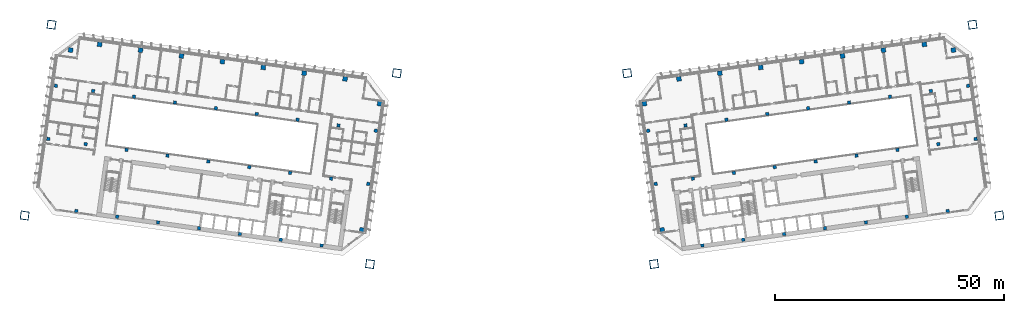
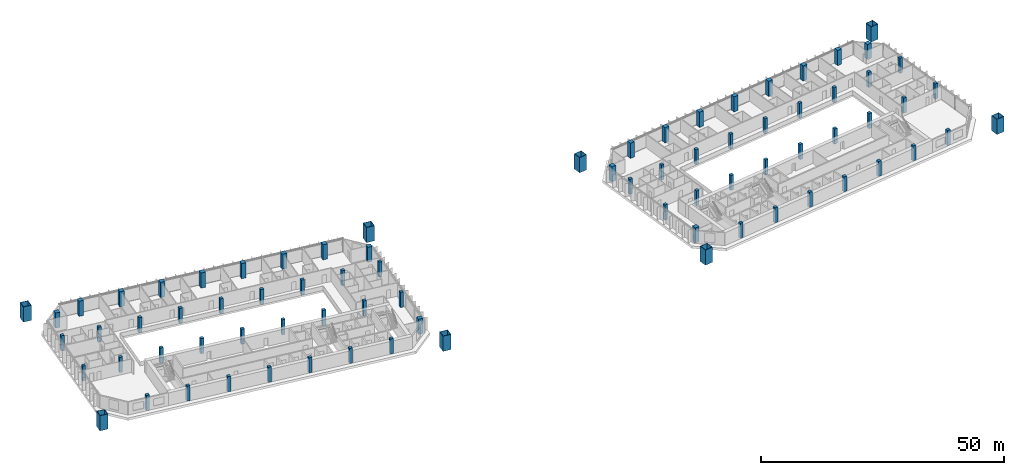
# One storey, part 1 of 25: 78 columns.
"""IFC4 building model written with IfcOpenShell, lengths in metres."""

from ifc_helpers import new_model, si_unit, direction, frame, origin, origin_2d, place, context, subcontext, project, spatial, rectangle, hollow_rectangle, extrude, material, material_profile, profile_set, type_object, element, save


model = new_model("IFC4")

# Units and contexts
model_context = context("Model", 3, precision=1e-05, world=origin(), true_north=direction((0.0, 1.0)))
body_context = subcontext(model_context, "Body", "Model", "MODEL_VIEW")
ifc_project = project(units=[si_unit("LENGTHUNIT", "METRE"), si_unit("AREAUNIT", "SQUARE_METRE"), si_unit("VOLUMEUNIT", "CUBIC_METRE"), si_unit("PLANEANGLEUNIT", "RADIAN"), si_unit("MASSUNIT", "GRAM", prefix="KILO")], contexts=[model_context])

# Site, building, storey
site_placement = place(None, origin())
site = spatial("IfcSite", under=ifc_project, at=site_placement, CompositionType="ELEMENT")
building_placement = place(site_placement, origin())
building = spatial("IfcBuilding", under=site, at=building_placement, Name="Mirante Cascada Hotel Towers", CompositionType="ELEMENT")
storey_placement = place(building_placement, frame((0.0, 0.0, 73.7)))
storey = spatial("IfcBuildingStorey", under=building, at=storey_placement, Name="L15", CompositionType="ELEMENT", Elevation=73.7)

# Columns
ifc_material_1 = material(Name="Steel ASTM A572 Gr 50", Category="steel")
ifc_material_profile_1 = material_profile(ifc_material_1, hollow_rectangle(XDim=1.8, YDim=1.8, WallThickness=0.08, at=origin_2d()), Name="Box column 1800x1800x80 ASTM A572 Gr 50")
ifc_profile_set_1 = profile_set([ifc_material_profile_1], Name="Steel ASTM A572 Gr 50")
column_type_1 = type_object("IfcColumnType", Name="Box column 1800x1800x80 ASTM A572 Gr 50", PredefinedType="COLUMN", material=ifc_profile_set_1)
for number, where, z_axis, x_axis, name in (
    (1, (-25.0968, 18.5173, 0.0), (0.0, 0.0, 1.0), (-0.9902681, 0.1391731, 0.0), "Mega column MC1 T1 L15"),
    (2, (-30.9421, -23.074, 0.0), (0.0, 0.0, 1.0), (-0.9902681, 0.1391731, 0.0), "Mega column MC2 T1 L15"),
    (3, (-100.3572, 29.0944, 0.0), (0.0, 0.0, 1.0), (-0.9902681, 0.1391731, 0.0), "Mega column MC3 T1 L15"),
    (4, (-106.2025, -12.4968, 0.0), (0.0, 0.0, 1.0), (-0.9902681, 0.1391731, 0.0), "Mega column MC4 T1 L15"),
    (5, (25.0968, 18.5173, 0.0), (0.0, 0.0, 1.0), (0.9902681, 0.1391731, 0.0), "Mega column MC1 T2 L15"),
    (6, (30.9421, -23.074, 0.0), (0.0, 0.0, 1.0), (0.9902681, 0.1391731, 0.0), "Mega column MC2 T2 L15"),
    (7, (100.3572, 29.0944, 0.0), (0.0, 0.0, 1.0), (0.9902681, 0.1391731, 0.0), "Mega column MC3 T2 L15"),
    (8, (106.2025, -12.4968, 0.0), (0.0, 0.0, 1.0), (0.9902681, 0.1391731, 0.0), "Mega column MC4 T2 L15"),
):
    element("IfcColumn", number, at=place(storey_placement, frame(where, z_axis=z_axis, x_axis=x_axis)), inside=storey, type_object=column_type_1, Name=name, PredefinedType="COLUMN", context=body_context, shape_type="SweptSolid", body=[
        extrude(hollow_rectangle(XDim=1.8, YDim=1.8, WallThickness=0.08, at=origin_2d()), origin(), (0.0, 0.0, 1.0), 3.8),
    ])
ifc_material_2 = material(Name="Concrete C60/75", Category="concrete")
ifc_material_profile_2 = material_profile(ifc_material_2, rectangle(XDim=1.0, YDim=1.0, at=origin_2d()), Name="RC column 1000x1000 C60/75")
ifc_profile_set_2 = profile_set([ifc_material_profile_2], Name="Concrete C60/75")
column_type_2 = type_object("IfcColumnType", Name="RC column 1000x1000 C60/75", PredefinedType="COLUMN", material=ifc_profile_set_2)
for number, where, z_axis, x_axis, name in (
    (9, (-28.8577, 11.8761, 0.0), (0.0, 0.0, 1.0), (-0.9902681, 0.1391731, 0.0), "Column T1 L15 1"),
    (10, (-32.7267, -15.6534, 0.0), (0.0, 0.0, 1.0), (-0.9902681, 0.1391731, 0.0), "Column T1 L15 4"),
    (11, (-36.3795, 17.2754, 0.0), (0.0, 0.0, 1.0), (-0.9902681, 0.1391731, 0.0), "Column T1 L15 5"),
    (12, (-45.2919, 18.528, 0.0), (0.0, 0.0, 1.0), (-0.9902681, 0.1391731, 0.0), "Column T1 L15 9"),
    (13, (-54.2043, 19.7806, 0.0), (0.0, 0.0, 1.0), (-0.9902681, 0.1391731, 0.0), "Column T1 L15 13"),
    (14, (-63.1167, 21.0331, 0.0), (0.0, 0.0, 1.0), (-0.9902681, 0.1391731, 0.0), "Column T1 L15 17"),
    (15, (-72.0291, 22.2857, 0.0), (0.0, 0.0, 1.0), (-0.9902681, 0.1391731, 0.0), "Column T1 L15 21"),
    (16, (-80.9415, 23.5382, 0.0), (0.0, 0.0, 1.0), (-0.9902681, 0.1391731, 0.0), "Column T1 L15 25"),
    (17, (-89.8539, 24.7908, 0.0), (0.0, 0.0, 1.0), (-0.9902681, 0.1391731, 0.0), "Column T1 L15 29"),
    (18, (-96.1868, 23.5602, 0.0), (0.0, 0.0, 1.0), (-0.9902681, 0.1391731, 0.0), "Column T1 L15 33"),
    (19, (28.8577, 11.8761, 0.0), (0.0, 0.0, 1.0), (0.9902681, 0.1391731, 0.0), "Column T2 L15 1"),
    (20, (32.7267, -15.6534, 0.0), (0.0, 0.0, 1.0), (0.9902681, 0.1391731, 0.0), "Column T2 L15 4"),
    (21, (36.3795, 17.2754, 0.0), (0.0, 0.0, 1.0), (0.9902681, 0.1391731, 0.0), "Column T2 L15 5"),
    (22, (45.2919, 18.528, 0.0), (0.0, 0.0, 1.0), (0.9902681, 0.1391731, 0.0), "Column T2 L15 9"),
    (23, (54.2043, 19.7806, 0.0), (0.0, 0.0, 1.0), (0.9902681, 0.1391731, 0.0), "Column T2 L15 13"),
    (24, (63.1167, 21.0331, 0.0), (0.0, 0.0, 1.0), (0.9902681, 0.1391731, 0.0), "Column T2 L15 17"),
    (25, (72.0291, 22.2857, 0.0), (0.0, 0.0, 1.0), (0.9902681, 0.1391731, 0.0), "Column T2 L15 21"),
    (26, (80.9415, 23.5382, 0.0), (0.0, 0.0, 1.0), (0.9902681, 0.1391731, 0.0), "Column T2 L15 25"),
    (27, (89.8539, 24.7908, 0.0), (0.0, 0.0, 1.0), (0.9902681, 0.1391731, 0.0), "Column T2 L15 29"),
    (28, (96.1868, 23.5602, 0.0), (0.0, 0.0, 1.0), (0.9902681, 0.1391731, 0.0), "Column T2 L15 33"),
):
    element("IfcColumn", number, at=place(storey_placement, frame(where, z_axis=z_axis, x_axis=x_axis)), inside=storey, type_object=column_type_2, Name=name, PredefinedType="COLUMN", context=body_context, shape_type="SweptSolid", body=[
        extrude(rectangle(XDim=1.0, YDim=1.0, at=origin_2d()), origin(), (0.0, 0.0, 1.0), 3.8),
    ])
ifc_material_3 = material(Name="Concrete C60/75", Category="concrete")
ifc_material_profile_3 = material_profile(ifc_material_3, rectangle(XDim=0.7, YDim=0.7, at=origin_2d()), Name="RC column 700x700 C60/75")
ifc_profile_set_3 = profile_set([ifc_material_profile_3], Name="Concrete C60/75")
column_type_3 = type_object("IfcColumnType", Name="RC column 700x700 C60/75", PredefinedType="COLUMN", material=ifc_profile_set_3)
for number, where, z_axis, x_axis, name in (
    (29, (-29.6858, 5.984, 0.0), (0.0, 0.0, 1.0), (-0.9902681, 0.1391731, 0.0), "Column T1 L15 2"),
    (30, (-31.3141, -5.6022, 0.0), (0.0, 0.0, 1.0), (-0.9902681, 0.1391731, 0.0), "Column T1 L15 3"),
    (31, (-37.806, 7.1252, 0.0), (0.0, 0.0, 1.0), (-0.9902681, 0.1391731, 0.0), "Column T1 L15 6"),
    (32, (-39.4343, -4.4609, 0.0), (0.0, 0.0, 1.0), (-0.9902681, 0.1391731, 0.0), "Column T1 L15 7"),
    (33, (-41.4802, -19.0179, 0.0), (0.0, 0.0, 1.0), (-0.9902681, 0.1391731, 0.0), "Column T1 L15 8"),
    (34, (-46.7184, 8.3777, 0.0), (0.0, 0.0, 1.0), (-0.9902681, 0.1391731, 0.0), "Column T1 L15 10"),
    (35, (-48.3467, -3.2084, 0.0), (0.0, 0.0, 1.0), (-0.9902681, 0.1391731, 0.0), "Column T1 L15 11"),
    (36, (-50.3926, -17.7653, 0.0), (0.0, 0.0, 1.0), (-0.9902681, 0.1391731, 0.0), "Column T1 L15 12"),
    (37, (-55.6308, 9.6303, 0.0), (0.0, 0.0, 1.0), (-0.9902681, 0.1391731, 0.0), "Column T1 L15 14"),
    (38, (-57.2591, -1.9558, 0.0), (0.0, 0.0, 1.0), (-0.9902681, 0.1391731, 0.0), "Column T1 L15 15"),
    (39, (-59.305, -16.5128, 0.0), (0.0, 0.0, 1.0), (-0.9902681, 0.1391731, 0.0), "Column T1 L15 16"),
    (40, (-64.5432, 10.8829, 0.0), (0.0, 0.0, 1.0), (-0.9902681, 0.1391731, 0.0), "Column T1 L15 18"),
    (41, (-66.1716, -0.7033, 0.0), (0.0, 0.0, 1.0), (-0.9902681, 0.1391731, 0.0), "Column T1 L15 19"),
    (42, (-68.2174, -15.2602, 0.0), (0.0, 0.0, 1.0), (-0.9902681, 0.1391731, 0.0), "Column T1 L15 20"),
    (43, (-73.4556, 12.1354, 0.0), (0.0, 0.0, 1.0), (-0.9902681, 0.1391731, 0.0), "Column T1 L15 22"),
    (44, (-75.084, 0.5493, 0.0), (0.0, 0.0, 1.0), (-0.9902681, 0.1391731, 0.0), "Column T1 L15 23"),
    (45, (-77.1298, -14.0077, 0.0), (0.0, 0.0, 1.0), (-0.9902681, 0.1391731, 0.0), "Column T1 L15 24"),
    (46, (-82.368, 13.388, 0.0), (0.0, 0.0, 1.0), (-0.9902681, 0.1391731, 0.0), "Column T1 L15 26"),
    (47, (-83.9964, 1.8018, 0.0), (0.0, 0.0, 1.0), (-0.9902681, 0.1391731, 0.0), "Column T1 L15 27"),
    (48, (-86.0422, -12.7551, 0.0), (0.0, 0.0, 1.0), (-0.9902681, 0.1391731, 0.0), "Column T1 L15 28"),
    (49, (-91.2805, 14.6405, 0.0), (0.0, 0.0, 1.0), (-0.9902681, 0.1391731, 0.0), "Column T1 L15 30"),
    (50, (-92.9088, 3.0544, 0.0), (0.0, 0.0, 1.0), (-0.9902681, 0.1391731, 0.0), "Column T1 L15 31"),
    (51, (-94.9546, -11.5025, 0.0), (0.0, 0.0, 1.0), (-0.9902681, 0.1391731, 0.0), "Column T1 L15 32"),
    (52, (-99.4007, 15.7818, 0.0), (0.0, 0.0, 1.0), (-0.9902681, 0.1391731, 0.0), "Column T1 L15 34"),
    (53, (-101.029, 4.1956, 0.0), (0.0, 0.0, 1.0), (-0.9902681, 0.1391731, 0.0), "Column T1 L15 35"),
    (54, (29.6858, 5.984, 0.0), (0.0, 0.0, 1.0), (0.9902681, 0.1391731, 0.0), "Column T2 L15 2"),
    (55, (31.3141, -5.6022, 0.0), (0.0, 0.0, 1.0), (0.9902681, 0.1391731, 0.0), "Column T2 L15 3"),
    (56, (37.806, 7.1252, 0.0), (0.0, 0.0, 1.0), (0.9902681, 0.1391731, 0.0), "Column T2 L15 6"),
    (57, (39.4343, -4.4609, 0.0), (0.0, 0.0, 1.0), (0.9902681, 0.1391731, 0.0), "Column T2 L15 7"),
    (58, (41.4802, -19.0179, 0.0), (0.0, 0.0, 1.0), (0.9902681, 0.1391731, 0.0), "Column T2 L15 8"),
    (59, (46.7184, 8.3777, 0.0), (0.0, 0.0, 1.0), (0.9902681, 0.1391731, 0.0), "Column T2 L15 10"),
    (60, (48.3467, -3.2084, 0.0), (0.0, 0.0, 1.0), (0.9902681, 0.1391731, 0.0), "Column T2 L15 11"),
    (61, (50.3926, -17.7653, 0.0), (0.0, 0.0, 1.0), (0.9902681, 0.1391731, 0.0), "Column T2 L15 12"),
    (62, (55.6308, 9.6303, 0.0), (0.0, 0.0, 1.0), (0.9902681, 0.1391731, 0.0), "Column T2 L15 14"),
    (63, (57.2591, -1.9558, 0.0), (0.0, 0.0, 1.0), (0.9902681, 0.1391731, 0.0), "Column T2 L15 15"),
    (64, (59.305, -16.5128, 0.0), (0.0, 0.0, 1.0), (0.9902681, 0.1391731, 0.0), "Column T2 L15 16"),
    (65, (64.5432, 10.8829, 0.0), (0.0, 0.0, 1.0), (0.9902681, 0.1391731, 0.0), "Column T2 L15 18"),
    (66, (66.1716, -0.7033, 0.0), (0.0, 0.0, 1.0), (0.9902681, 0.1391731, 0.0), "Column T2 L15 19"),
    (67, (68.2174, -15.2602, 0.0), (0.0, 0.0, 1.0), (0.9902681, 0.1391731, 0.0), "Column T2 L15 20"),
    (68, (73.4556, 12.1354, 0.0), (0.0, 0.0, 1.0), (0.9902681, 0.1391731, 0.0), "Column T2 L15 22"),
    (69, (75.084, 0.5493, 0.0), (0.0, 0.0, 1.0), (0.9902681, 0.1391731, 0.0), "Column T2 L15 23"),
    (70, (77.1298, -14.0077, 0.0), (0.0, 0.0, 1.0), (0.9902681, 0.1391731, 0.0), "Column T2 L15 24"),
    (71, (82.368, 13.388, 0.0), (0.0, 0.0, 1.0), (0.9902681, 0.1391731, 0.0), "Column T2 L15 26"),
    (72, (83.9964, 1.8018, 0.0), (0.0, 0.0, 1.0), (0.9902681, 0.1391731, 0.0), "Column T2 L15 27"),
    (73, (86.0422, -12.7551, 0.0), (0.0, 0.0, 1.0), (0.9902681, 0.1391731, 0.0), "Column T2 L15 28"),
    (74, (91.2805, 14.6405, 0.0), (0.0, 0.0, 1.0), (0.9902681, 0.1391731, 0.0), "Column T2 L15 30"),
    (75, (92.9088, 3.0544, 0.0), (0.0, 0.0, 1.0), (0.9902681, 0.1391731, 0.0), "Column T2 L15 31"),
    (76, (94.9546, -11.5025, 0.0), (0.0, 0.0, 1.0), (0.9902681, 0.1391731, 0.0), "Column T2 L15 32"),
    (77, (99.4007, 15.7818, 0.0), (0.0, 0.0, 1.0), (0.9902681, 0.1391731, 0.0), "Column T2 L15 34"),
    (78, (101.029, 4.1956, 0.0), (0.0, 0.0, 1.0), (0.9902681, 0.1391731, 0.0), "Column T2 L15 35"),
):
    element("IfcColumn", number, at=place(storey_placement, frame(where, z_axis=z_axis, x_axis=x_axis)), inside=storey, type_object=column_type_3, Name=name, PredefinedType="COLUMN", context=body_context, shape_type="SweptSolid", body=[
        extrude(rectangle(XDim=0.7, YDim=0.7, at=origin_2d()), origin(), (0.0, 0.0, 1.0), 3.8),
    ])

save(model, "model.ifc")
